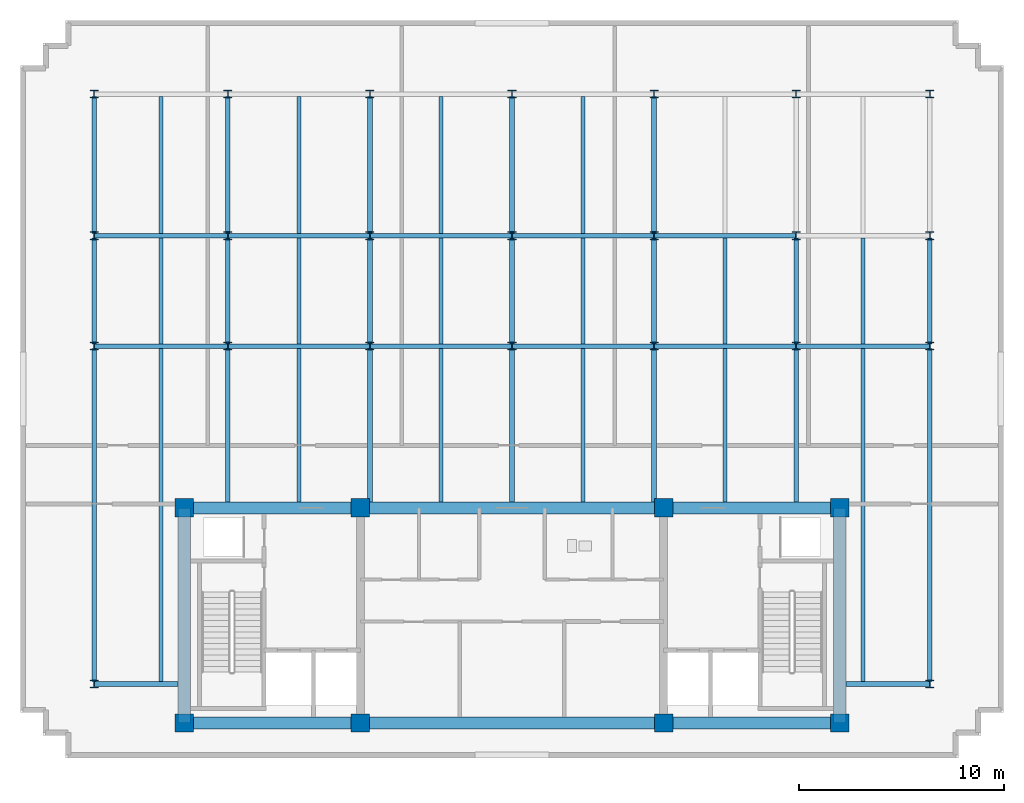
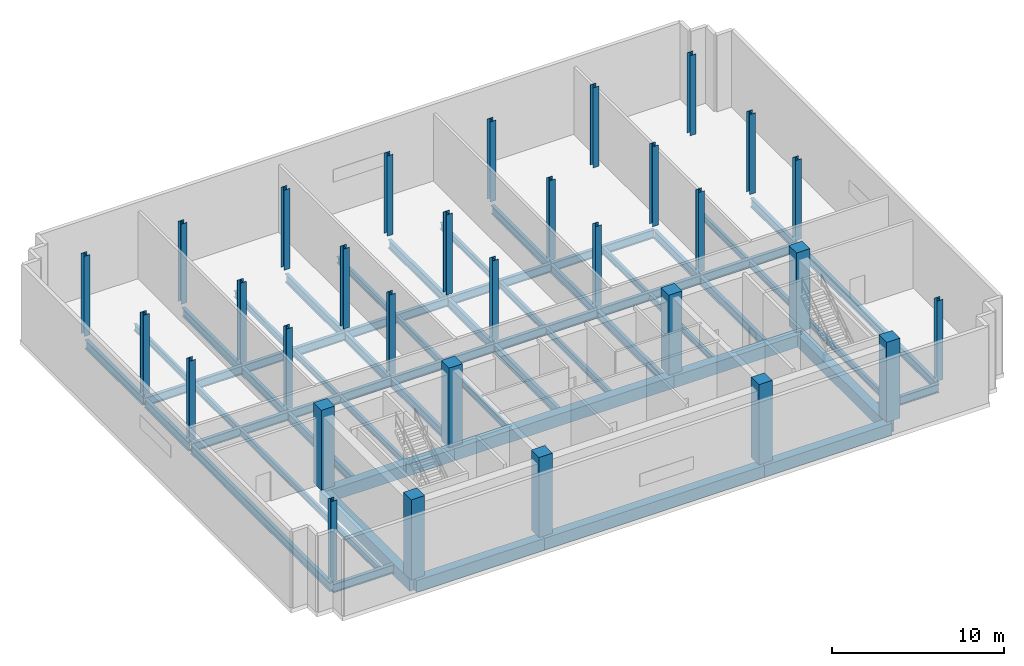
# One storey, part 1 of 7: 56 beams, 31 columns.
"""IFC4 building model written with IfcOpenShell, lengths in metres."""

from ifc_helpers import new_model, si_unit, direction, frame, origin, origin_2d, place, context, subcontext, project, spatial, rectangle, i_section, extrude, material, material_profile, profile_set, type_object, element, save


model = new_model("IFC4")

# Units and contexts
model_context = context("Model", 3, precision=1e-05, world=origin(), true_north=direction((0.0, 1.0)))
body_context = subcontext(model_context, "Body", "Model", "MODEL_VIEW")
ifc_project = project(units=[si_unit("LENGTHUNIT", "METRE"), si_unit("AREAUNIT", "SQUARE_METRE"), si_unit("VOLUMEUNIT", "CUBIC_METRE"), si_unit("PLANEANGLEUNIT", "RADIAN"), si_unit("MASSUNIT", "GRAM", prefix="KILO")], contexts=[model_context])

# Site, building, storey
site_placement = place(None, origin())
site = spatial("IfcSite", under=ifc_project, at=site_placement, CompositionType="ELEMENT")
building_placement = place(site_placement, origin())
building = spatial("IfcBuilding", under=site, at=building_placement, Name="Solmavex Isthmus Hotel", CompositionType="ELEMENT")
storey_placement = place(building_placement, frame((0.0, 0.0, 302.699951171875)))
storey = spatial("IfcBuildingStorey", under=building, at=storey_placement, Name="L81", CompositionType="ELEMENT", Elevation=302.699951171875)

# Columns
ifc_material_1 = material(Name="Concrete C50/60", Category="concrete")
ifc_material_profile_1 = material_profile(ifc_material_1, rectangle(XDim=0.89990234375, YDim=0.89990234375, at=origin_2d()), Name="RC900X900")
ifc_profile_set_1 = profile_set([ifc_material_profile_1], Name="Concrete C50/60")
column_type_1 = type_object("IfcColumnType", Name="COL-CC-900", PredefinedType="COLUMN", material=ifc_profile_set_1)
for number, where, z_axis, x_axis, name in (
    (1, (-16.0, -13.0, 0.0), (0.0, 0.0, 1.0), (1.0, 0.0, 0.0), "Core Pilaster CC-SW L81"),
    (2, (-7.39990234375, -13.0, 0.0), (0.0, 0.0, 1.0), (1.0, 0.0, 0.0), "Core Pilaster CC-S1 L81"),
    (3, (7.39990234375, -13.0, 0.0), (0.0, 0.0, 1.0), (1.0, 0.0, 0.0), "Core Pilaster CC-S2 L81"),
    (4, (16.0, -13.0, 0.0), (0.0, 0.0, 1.0), (1.0, 0.0, 0.0), "Core Pilaster CC-SE L81"),
    (5, (-16.0, -2.5, 0.0), (0.0, 0.0, 1.0), (1.0, 0.0, 0.0), "Core Pilaster CC-NW L81"),
    (6, (-7.39990234375, -2.5, 0.0), (0.0, 0.0, 1.0), (1.0, 0.0, 0.0), "Core Pilaster CC-N1 L81"),
    (7, (7.39990234375, -2.5, 0.0), (0.0, 0.0, 1.0), (1.0, 0.0, 0.0), "Core Pilaster CC-N2 L81"),
    (8, (16.0, -2.5, 0.0), (0.0, 0.0, 1.0), (1.0, 0.0, 0.0), "Core Pilaster CC-NE L81"),
):
    element("IfcColumn", number, at=place(storey_placement, frame(where, z_axis=z_axis, x_axis=x_axis)), inside=storey, type_object=column_type_1, Name=name, PredefinedType="COLUMN", context=body_context, shape_type="SweptSolid", body=[
        extrude(rectangle(XDim=0.89990234375, YDim=0.89990234375, at=origin_2d()), origin(), (0.0, 0.0, 1.0), 5.699951171875),
    ])
ifc_material_2 = material(Name="Steel ASTM A913 Grade 65", Category="steel")
ifc_material_profile_2 = material_profile(ifc_material_2, i_section(OverallWidth=0.393798828125, OverallDepth=0.37548828125, WebThickness=0.017333984375, FlangeThickness=0.027587890625, FilletRadius=0.030517578125, at=origin_2d()), Name="W14X145")
ifc_profile_set_2 = profile_set([ifc_material_profile_2], Name="Steel ASTM A913 Grade 65")
column_type_2 = type_object("IfcColumnType", Name="COL-SC-W14X145", PredefinedType="COLUMN", material=ifc_profile_set_2)
for number, where, z_axis, x_axis, name in (
    (9, (-20.39990234375, -11.10009765625, 0.0), (0.0, 0.0, 1.0), (1.0, 0.0, 0.0), "Tower Column B5-U1V1 L81"),
    (10, (-20.39990234375, 5.39990234375, 0.0), (0.0, 0.0, 1.0), (1.0, 0.0, 0.0), "Tower Column B5-U1V2 L81"),
    (11, (-20.39990234375, 10.7880859375, 0.0), (0.0, 0.0, 1.0), (1.0, 0.0, 0.0), "Tower Column B5-U1V3 L81"),
    (12, (-20.39990234375, 17.699951171875, 0.0), (0.0, 0.0, 1.0), (1.0, 0.0, 0.0), "Tower Column B5-U1V4 L81"),
    (13, (-13.8720703125, 5.39990234375, 0.0), (0.0, 0.0, 1.0), (1.0, 0.0, 0.0), "Tower Column B5-U2V2 L81"),
    (14, (-13.8720703125, 10.7880859375, 0.0), (0.0, 0.0, 1.0), (1.0, 0.0, 0.0), "Tower Column B5-U2V3 L81"),
    (15, (-13.8720703125, 17.699951171875, 0.0), (0.0, 0.0, 1.0), (1.0, 0.0, 0.0), "Tower Column B5-U2V4 L81"),
    (16, (-6.93603515625, 5.39990234375, 0.0), (0.0, 0.0, 1.0), (1.0, 0.0, 0.0), "Tower Column B5-U3V2 L81"),
    (17, (-6.93603515625, 10.7880859375, 0.0), (0.0, 0.0, 1.0), (1.0, 0.0, 0.0), "Tower Column B5-U3V3 L81"),
    (18, (-6.93603515625, 17.699951171875, 0.0), (0.0, 0.0, 1.0), (1.0, 0.0, 0.0), "Tower Column B5-U3V4 L81"),
    (19, (0.0, 5.39990234375, 0.0), (0.0, 0.0, 1.0), (1.0, 0.0, 0.0), "Tower Column B5-U4V2 L81"),
    (20, (0.0, 10.7880859375, 0.0), (0.0, 0.0, 1.0), (1.0, 0.0, 0.0), "Tower Column B5-U4V3 L81"),
    (21, (0.0, 17.699951171875, 0.0), (0.0, 0.0, 1.0), (1.0, 0.0, 0.0), "Tower Column B5-U4V4 L81"),
    (22, (6.93603515625, 5.39990234375, 0.0), (0.0, 0.0, 1.0), (1.0, 0.0, 0.0), "Tower Column B5-U5V2 L81"),
    (23, (6.93603515625, 10.7880859375, 0.0), (0.0, 0.0, 1.0), (1.0, 0.0, 0.0), "Tower Column B5-U5V3 L81"),
    (24, (6.93603515625, 17.699951171875, 0.0), (0.0, 0.0, 1.0), (1.0, 0.0, 0.0), "Tower Column B5-U5V4 L81"),
    (25, (13.8720703125, 5.39990234375, 0.0), (0.0, 0.0, 1.0), (1.0, 0.0, 0.0), "Tower Column B5-U6V2 L81"),
    (26, (13.8720703125, 10.7880859375, 0.0), (0.0, 0.0, 1.0), (1.0, 0.0, 0.0), "Tower Column B5-U6V3 L81"),
    (27, (13.8720703125, 17.699951171875, 0.0), (0.0, 0.0, 1.0), (1.0, 0.0, 0.0), "Tower Column B5-U6V4 L81"),
    (28, (20.39990234375, -11.10009765625, 0.0), (0.0, 0.0, 1.0), (1.0, 0.0, 0.0), "Tower Column B5-U7V1 L81"),
    (29, (20.39990234375, 5.39990234375, 0.0), (0.0, 0.0, 1.0), (1.0, 0.0, 0.0), "Tower Column B5-U7V2 L81"),
    (30, (20.39990234375, 10.7880859375, 0.0), (0.0, 0.0, 1.0), (1.0, 0.0, 0.0), "Tower Column B5-U7V3 L81"),
    (31, (20.39990234375, 17.699951171875, 0.0), (0.0, 0.0, 1.0), (1.0, 0.0, 0.0), "Tower Column B5-U7V4 L81"),
):
    element("IfcColumn", number, at=place(storey_placement, frame(where, z_axis=z_axis, x_axis=x_axis)), inside=storey, type_object=column_type_2, Name=name, PredefinedType="COLUMN", context=body_context, shape_type="SweptSolid", body=[
        extrude(i_section(OverallWidth=0.393798828125, OverallDepth=0.37548828125, WebThickness=0.017333984375, FlangeThickness=0.027587890625, FilletRadius=0.030517578125, at=origin_2d()), origin(), (0.0, 0.0, 1.0), 5.699951171875),
    ])

# Beams
ifc_material_3 = material(Name="Steel ASTM A992 Grade 50", Category="steel")
ifc_material_profile_3 = material_profile(ifc_material_3, i_section(OverallWidth=0.1904296875, OverallDepth=0.456787109375, WebThickness=0.009033203125, FlangeThickness=0.014404296875, FilletRadius=0.0126953125, at=origin_2d()), Name="W18X50")
ifc_profile_set_3 = profile_set([ifc_material_profile_3], Name="Steel ASTM A992 Grade 50")
beam_type_1 = type_object("IfcBeamType", Name="BM-BJ-W18X50", PredefinedType="JOIST", material=ifc_profile_set_3)
beam_1_placement = place(storey_placement, frame((-17.135986328125, -10.98486328125, -0.5283203125), z_axis=(0.0, 1.0, 0.0), x_axis=(-1.0, 0.0, 0.0)))
element("IfcBeam", 32, at=beam_1_placement, inside=storey, type_object=beam_type_1, Name="Secondary Floor Joist L81-J01", PredefinedType="JOIST", context=body_context, shape_type="SweptSolid", body=[
    extrude(i_section(OverallWidth=0.1904296875, OverallDepth=0.456787109375, WebThickness=0.009033203125, FlangeThickness=0.014404296875, FilletRadius=0.0126953125, at=origin_2d()), origin(), (0.0, 0.0, 1.0), 16.27099609375),
])
beam_2_placement = place(storey_placement, frame((-17.135986328125, 5.513916015625, -0.5283203125), z_axis=(0.0, 1.0, 0.0), x_axis=(-1.0, 0.0, 0.0)))
element("IfcBeam", 33, at=beam_2_placement, inside=storey, type_object=beam_type_1, Name="Secondary Floor Joist L81-J02", PredefinedType="JOIST", context=body_context, shape_type="SweptSolid", body=[
    extrude(i_section(OverallWidth=0.1904296875, OverallDepth=0.456787109375, WebThickness=0.009033203125, FlangeThickness=0.014404296875, FilletRadius=0.0126953125, at=origin_2d()), origin(), (0.0, 0.0, 1.0), 5.16015625),
])
beam_3_placement = place(storey_placement, frame((-17.135986328125, 10.90185546875, -0.5283203125), z_axis=(0.0, 1.0, 0.0), x_axis=(-1.0, 0.0, 0.0)))
element("IfcBeam", 34, at=beam_3_placement, inside=storey, type_object=beam_type_1, Name="Secondary Floor Joist L81-J03", PredefinedType="JOIST", context=body_context, shape_type="SweptSolid", body=[
    extrude(i_section(OverallWidth=0.1904296875, OverallDepth=0.456787109375, WebThickness=0.009033203125, FlangeThickness=0.014404296875, FilletRadius=0.0126953125, at=origin_2d()), origin(), (0.0, 0.0, 1.0), 6.682861328125),
])
beam_4_placement = place(storey_placement, frame((-10.404052734375, -2.199951171875, -0.5283203125), z_axis=(0.0, 1.0, 0.0), x_axis=(-1.0, 0.0, 0.0)))
element("IfcBeam", 35, at=beam_4_placement, inside=storey, type_object=beam_type_1, Name="Secondary Floor Joist L81-J04", PredefinedType="JOIST", context=body_context, shape_type="SweptSolid", body=[
    extrude(i_section(OverallWidth=0.1904296875, OverallDepth=0.456787109375, WebThickness=0.009033203125, FlangeThickness=0.014404296875, FilletRadius=0.0126953125, at=origin_2d()), origin(), (0.0, 0.0, 1.0), 7.486083984375),
])
beam_5_placement = place(storey_placement, frame((-10.404052734375, 5.513916015625, -0.5283203125), z_axis=(0.0, 1.0, 0.0), x_axis=(-1.0, 0.0, 0.0)))
element("IfcBeam", 36, at=beam_5_placement, inside=storey, type_object=beam_type_1, Name="Secondary Floor Joist L81-J05", PredefinedType="JOIST", context=body_context, shape_type="SweptSolid", body=[
    extrude(i_section(OverallWidth=0.1904296875, OverallDepth=0.456787109375, WebThickness=0.009033203125, FlangeThickness=0.014404296875, FilletRadius=0.0126953125, at=origin_2d()), origin(), (0.0, 0.0, 1.0), 5.16015625),
])
beam_6_placement = place(storey_placement, frame((-10.404052734375, 10.90185546875, -0.5283203125), z_axis=(0.0, 1.0, 0.0), x_axis=(-1.0, 0.0, 0.0)))
element("IfcBeam", 37, at=beam_6_placement, inside=storey, type_object=beam_type_1, Name="Secondary Floor Joist L81-J06", PredefinedType="JOIST", context=body_context, shape_type="SweptSolid", body=[
    extrude(i_section(OverallWidth=0.1904296875, OverallDepth=0.456787109375, WebThickness=0.009033203125, FlangeThickness=0.014404296875, FilletRadius=0.0126953125, at=origin_2d()), origin(), (0.0, 0.0, 1.0), 6.682861328125),
])
beam_7_placement = place(storey_placement, frame((-3.468017578125, -2.199951171875, -0.5283203125), z_axis=(0.0, 1.0, 0.0), x_axis=(-1.0, 0.0, 0.0)))
element("IfcBeam", 38, at=beam_7_placement, inside=storey, type_object=beam_type_1, Name="Secondary Floor Joist L81-J07", PredefinedType="JOIST", context=body_context, shape_type="SweptSolid", body=[
    extrude(i_section(OverallWidth=0.1904296875, OverallDepth=0.456787109375, WebThickness=0.009033203125, FlangeThickness=0.014404296875, FilletRadius=0.0126953125, at=origin_2d()), origin(), (0.0, 0.0, 1.0), 7.486083984375),
])
beam_8_placement = place(storey_placement, frame((-3.468017578125, 5.513916015625, -0.5283203125), z_axis=(0.0, 1.0, 0.0), x_axis=(-1.0, 0.0, 0.0)))
element("IfcBeam", 39, at=beam_8_placement, inside=storey, type_object=beam_type_1, Name="Secondary Floor Joist L81-J08", PredefinedType="JOIST", context=body_context, shape_type="SweptSolid", body=[
    extrude(i_section(OverallWidth=0.1904296875, OverallDepth=0.456787109375, WebThickness=0.009033203125, FlangeThickness=0.014404296875, FilletRadius=0.0126953125, at=origin_2d()), origin(), (0.0, 0.0, 1.0), 5.16015625),
])
beam_9_placement = place(storey_placement, frame((-3.468017578125, 10.90185546875, -0.5283203125), z_axis=(0.0, 1.0, 0.0), x_axis=(-1.0, 0.0, 0.0)))
element("IfcBeam", 40, at=beam_9_placement, inside=storey, type_object=beam_type_1, Name="Secondary Floor Joist L81-J09", PredefinedType="JOIST", context=body_context, shape_type="SweptSolid", body=[
    extrude(i_section(OverallWidth=0.1904296875, OverallDepth=0.456787109375, WebThickness=0.009033203125, FlangeThickness=0.014404296875, FilletRadius=0.0126953125, at=origin_2d()), origin(), (0.0, 0.0, 1.0), 6.682861328125),
])
beam_10_placement = place(storey_placement, frame((3.468017578125, -2.199951171875, -0.5283203125), z_axis=(0.0, 1.0, 0.0), x_axis=(-1.0, 0.0, 0.0)))
element("IfcBeam", 41, at=beam_10_placement, inside=storey, type_object=beam_type_1, Name="Secondary Floor Joist L81-J10", PredefinedType="JOIST", context=body_context, shape_type="SweptSolid", body=[
    extrude(i_section(OverallWidth=0.1904296875, OverallDepth=0.456787109375, WebThickness=0.009033203125, FlangeThickness=0.014404296875, FilletRadius=0.0126953125, at=origin_2d()), origin(), (0.0, 0.0, 1.0), 7.486083984375),
])
beam_11_placement = place(storey_placement, frame((3.468017578125, 5.513916015625, -0.5283203125), z_axis=(0.0, 1.0, 0.0), x_axis=(-1.0, 0.0, 0.0)))
element("IfcBeam", 42, at=beam_11_placement, inside=storey, type_object=beam_type_1, Name="Secondary Floor Joist L81-J11", PredefinedType="JOIST", context=body_context, shape_type="SweptSolid", body=[
    extrude(i_section(OverallWidth=0.1904296875, OverallDepth=0.456787109375, WebThickness=0.009033203125, FlangeThickness=0.014404296875, FilletRadius=0.0126953125, at=origin_2d()), origin(), (0.0, 0.0, 1.0), 5.16015625),
])
beam_12_placement = place(storey_placement, frame((3.468017578125, 10.90185546875, -0.5283203125), z_axis=(0.0, 1.0, 0.0), x_axis=(-1.0, 0.0, 0.0)))
element("IfcBeam", 43, at=beam_12_placement, inside=storey, type_object=beam_type_1, Name="Secondary Floor Joist L81-J12", PredefinedType="JOIST", context=body_context, shape_type="SweptSolid", body=[
    extrude(i_section(OverallWidth=0.1904296875, OverallDepth=0.456787109375, WebThickness=0.009033203125, FlangeThickness=0.014404296875, FilletRadius=0.0126953125, at=origin_2d()), origin(), (0.0, 0.0, 1.0), 6.682861328125),
])
beam_13_placement = place(storey_placement, frame((10.404052734375, -2.199951171875, -0.5283203125), z_axis=(0.0, 1.0, 0.0), x_axis=(-1.0, 0.0, 0.0)))
element("IfcBeam", 44, at=beam_13_placement, inside=storey, type_object=beam_type_1, Name="Secondary Floor Joist L81-J13", PredefinedType="JOIST", context=body_context, shape_type="SweptSolid", body=[
    extrude(i_section(OverallWidth=0.1904296875, OverallDepth=0.456787109375, WebThickness=0.009033203125, FlangeThickness=0.014404296875, FilletRadius=0.0126953125, at=origin_2d()), origin(), (0.0, 0.0, 1.0), 7.486083984375),
])
beam_14_placement = place(storey_placement, frame((10.404052734375, 5.513916015625, -0.5283203125), z_axis=(0.0, 1.0, 0.0), x_axis=(-1.0, 0.0, 0.0)))
element("IfcBeam", 45, at=beam_14_placement, inside=storey, type_object=beam_type_1, Name="Secondary Floor Joist L81-J14", PredefinedType="JOIST", context=body_context, shape_type="SweptSolid", body=[
    extrude(i_section(OverallWidth=0.1904296875, OverallDepth=0.456787109375, WebThickness=0.009033203125, FlangeThickness=0.014404296875, FilletRadius=0.0126953125, at=origin_2d()), origin(), (0.0, 0.0, 1.0), 5.16015625),
])
beam_15_placement = place(storey_placement, frame((17.135986328125, -10.98486328125, -0.5283203125), z_axis=(0.0, 1.0, 0.0), x_axis=(-1.0, 0.0, 0.0)))
element("IfcBeam", 46, at=beam_15_placement, inside=storey, type_object=beam_type_1, Name="Secondary Floor Joist L81-J16", PredefinedType="JOIST", context=body_context, shape_type="SweptSolid", body=[
    extrude(i_section(OverallWidth=0.1904296875, OverallDepth=0.456787109375, WebThickness=0.009033203125, FlangeThickness=0.014404296875, FilletRadius=0.0126953125, at=origin_2d()), origin(), (0.0, 0.0, 1.0), 16.27099609375),
])
beam_16_placement = place(storey_placement, frame((17.135986328125, 5.513916015625, -0.5283203125), z_axis=(0.0, 1.0, 0.0), x_axis=(-1.0, 0.0, 0.0)))
element("IfcBeam", 47, at=beam_16_placement, inside=storey, type_object=beam_type_1, Name="Secondary Floor Joist L81-J17", PredefinedType="JOIST", context=body_context, shape_type="SweptSolid", body=[
    extrude(i_section(OverallWidth=0.1904296875, OverallDepth=0.456787109375, WebThickness=0.009033203125, FlangeThickness=0.014404296875, FilletRadius=0.0126953125, at=origin_2d()), origin(), (0.0, 0.0, 1.0), 5.16015625),
])
ifc_material_profile_4 = material_profile(ifc_material_3, i_section(OverallWidth=0.227783203125, OverallDepth=0.602783203125, WebThickness=0.010498046875, FlangeThickness=0.014892578125, FilletRadius=0.01513671875, at=origin_2d()), Name="W24X68")
ifc_profile_set_4 = profile_set([ifc_material_profile_4], Name="Steel ASTM A992 Grade 50")
beam_type_2 = type_object("IfcBeamType", Name="BM-BM-W24X68", PredefinedType="BEAM", material=ifc_profile_set_4)
beam_17_placement = place(storey_placement, frame((-20.39990234375, 5.39990234375, -0.601318359375), z_axis=(1.0, 0.0, 0.0), x_axis=(0.0, 1.0, 0.0)))
element("IfcBeam", 48, at=beam_17_placement, inside=storey, type_object=beam_type_2, Name="Floor Girder L81-UG03", PredefinedType="BEAM", context=body_context, shape_type="SweptSolid", body=[
    extrude(i_section(OverallWidth=0.227783203125, OverallDepth=0.602783203125, WebThickness=0.010498046875, FlangeThickness=0.014892578125, FilletRadius=0.01513671875, at=origin_2d()), origin(), (0.0, 0.0, 1.0), 6.52783203125),
])
for number, where, z_axis, x_axis, name in (
    (49, (-13.8720703125, 5.39990234375, -0.601318359375), (1.0, 0.0, 0.0), (0.0, 1.0, 0.0), "Floor Girder L81-UG04"),
    (50, (-6.93603515625, 5.39990234375, -0.601318359375), (1.0, 0.0, 0.0), (0.0, 1.0, 0.0), "Floor Girder L81-UG05"),
    (51, (0.0, 5.39990234375, -0.601318359375), (1.0, 0.0, 0.0), (0.0, 1.0, 0.0), "Floor Girder L81-UG06"),
    (52, (6.93603515625, 5.39990234375, -0.601318359375), (1.0, 0.0, 0.0), (0.0, 1.0, 0.0), "Floor Girder L81-UG07"),
):
    element("IfcBeam", number, at=place(storey_placement, frame(where, z_axis=z_axis, x_axis=x_axis)), inside=storey, type_object=beam_type_2, Name=name, PredefinedType="BEAM", context=body_context, shape_type="SweptSolid", body=[
        extrude(i_section(OverallWidth=0.227783203125, OverallDepth=0.602783203125, WebThickness=0.010498046875, FlangeThickness=0.014892578125, FilletRadius=0.01513671875, at=origin_2d()), origin(), (0.0, 0.0, 1.0), 6.93603515625),
    ])
for number, where, z_axis, x_axis, name in (
    (53, (13.8720703125, 5.39990234375, -0.601318359375), (1.0, 0.0, 0.0), (0.0, 1.0, 0.0), "Floor Girder L81-UG08"),
    (54, (-20.39990234375, 10.7880859375, -0.601318359375), (1.0, 0.0, 0.0), (0.0, 1.0, 0.0), "Floor Girder L81-UG09"),
):
    element("IfcBeam", number, at=place(storey_placement, frame(where, z_axis=z_axis, x_axis=x_axis)), inside=storey, type_object=beam_type_2, Name=name, PredefinedType="BEAM", context=body_context, shape_type="SweptSolid", body=[
        extrude(i_section(OverallWidth=0.227783203125, OverallDepth=0.602783203125, WebThickness=0.010498046875, FlangeThickness=0.014892578125, FilletRadius=0.01513671875, at=origin_2d()), origin(), (0.0, 0.0, 1.0), 6.52783203125),
    ])
for number, where, z_axis, x_axis, name in (
    (55, (-13.8720703125, 10.7880859375, -0.601318359375), (1.0, 0.0, 0.0), (0.0, 1.0, 0.0), "Floor Girder L81-UG10"),
    (56, (-6.93603515625, 10.7880859375, -0.601318359375), (1.0, 0.0, 0.0), (0.0, 1.0, 0.0), "Floor Girder L81-UG11"),
    (57, (0.0, 10.7880859375, -0.601318359375), (1.0, 0.0, 0.0), (0.0, 1.0, 0.0), "Floor Girder L81-UG12"),
    (58, (6.93603515625, 10.7880859375, -0.601318359375), (1.0, 0.0, 0.0), (0.0, 1.0, 0.0), "Floor Girder L81-UG13"),
):
    element("IfcBeam", number, at=place(storey_placement, frame(where, z_axis=z_axis, x_axis=x_axis)), inside=storey, type_object=beam_type_2, Name=name, PredefinedType="BEAM", context=body_context, shape_type="SweptSolid", body=[
        extrude(i_section(OverallWidth=0.227783203125, OverallDepth=0.602783203125, WebThickness=0.010498046875, FlangeThickness=0.014892578125, FilletRadius=0.01513671875, at=origin_2d()), origin(), (0.0, 0.0, 1.0), 6.93603515625),
    ])
beam_18_placement = place(storey_placement, frame((-13.8720703125, -2.199951171875, -0.601318359375), z_axis=(0.0, 1.0, 0.0), x_axis=(-1.0, 0.0, 0.0)))
element("IfcBeam", 59, at=beam_18_placement, inside=storey, type_object=beam_type_2, Name="Floor Beam L81-VG24", PredefinedType="BEAM", context=body_context, shape_type="SweptSolid", body=[
    extrude(i_section(OverallWidth=0.227783203125, OverallDepth=0.602783203125, WebThickness=0.010498046875, FlangeThickness=0.014892578125, FilletRadius=0.01513671875, at=origin_2d()), origin(), (0.0, 0.0, 1.0), 7.486083984375),
])
beam_19_placement = place(storey_placement, frame((-13.8720703125, 5.513916015625, -0.601318359375), z_axis=(0.0, 1.0, 0.0), x_axis=(-1.0, 0.0, 0.0)))
element("IfcBeam", 60, at=beam_19_placement, inside=storey, type_object=beam_type_2, Name="Floor Beam L81-VG25", PredefinedType="BEAM", context=body_context, shape_type="SweptSolid", body=[
    extrude(i_section(OverallWidth=0.227783203125, OverallDepth=0.602783203125, WebThickness=0.010498046875, FlangeThickness=0.014892578125, FilletRadius=0.01513671875, at=origin_2d()), origin(), (0.0, 0.0, 1.0), 5.16015625),
])
beam_20_placement = place(storey_placement, frame((-13.8720703125, 10.90185546875, -0.601318359375), z_axis=(0.0, 1.0, 0.0), x_axis=(-1.0, 0.0, 0.0)))
element("IfcBeam", 61, at=beam_20_placement, inside=storey, type_object=beam_type_2, Name="Floor Beam L81-VG26", PredefinedType="BEAM", context=body_context, shape_type="SweptSolid", body=[
    extrude(i_section(OverallWidth=0.227783203125, OverallDepth=0.602783203125, WebThickness=0.010498046875, FlangeThickness=0.014892578125, FilletRadius=0.01513671875, at=origin_2d()), origin(), (0.0, 0.0, 1.0), 6.682861328125),
])
beam_21_placement = place(storey_placement, frame((-6.93603515625, -2.199951171875, -0.601318359375), z_axis=(0.0, 1.0, 0.0), x_axis=(-1.0, 0.0, 0.0)))
element("IfcBeam", 62, at=beam_21_placement, inside=storey, type_object=beam_type_2, Name="Floor Beam L81-VG27", PredefinedType="BEAM", context=body_context, shape_type="SweptSolid", body=[
    extrude(i_section(OverallWidth=0.227783203125, OverallDepth=0.602783203125, WebThickness=0.010498046875, FlangeThickness=0.014892578125, FilletRadius=0.01513671875, at=origin_2d()), origin(), (0.0, 0.0, 1.0), 7.486083984375),
])
beam_22_placement = place(storey_placement, frame((-6.93603515625, 5.513916015625, -0.601318359375), z_axis=(0.0, 1.0, 0.0), x_axis=(-1.0, 0.0, 0.0)))
element("IfcBeam", 63, at=beam_22_placement, inside=storey, type_object=beam_type_2, Name="Floor Beam L81-VG28", PredefinedType="BEAM", context=body_context, shape_type="SweptSolid", body=[
    extrude(i_section(OverallWidth=0.227783203125, OverallDepth=0.602783203125, WebThickness=0.010498046875, FlangeThickness=0.014892578125, FilletRadius=0.01513671875, at=origin_2d()), origin(), (0.0, 0.0, 1.0), 5.16015625),
])
beam_23_placement = place(storey_placement, frame((-6.93603515625, 10.90185546875, -0.601318359375), z_axis=(0.0, 1.0, 0.0), x_axis=(-1.0, 0.0, 0.0)))
element("IfcBeam", 64, at=beam_23_placement, inside=storey, type_object=beam_type_2, Name="Floor Beam L81-VG29", PredefinedType="BEAM", context=body_context, shape_type="SweptSolid", body=[
    extrude(i_section(OverallWidth=0.227783203125, OverallDepth=0.602783203125, WebThickness=0.010498046875, FlangeThickness=0.014892578125, FilletRadius=0.01513671875, at=origin_2d()), origin(), (0.0, 0.0, 1.0), 6.682861328125),
])
beam_24_placement = place(storey_placement, frame((0.0, -2.199951171875, -0.601318359375), z_axis=(0.0, 1.0, 0.0), x_axis=(-1.0, 0.0, 0.0)))
element("IfcBeam", 65, at=beam_24_placement, inside=storey, type_object=beam_type_2, Name="Floor Beam L81-VG30", PredefinedType="BEAM", context=body_context, shape_type="SweptSolid", body=[
    extrude(i_section(OverallWidth=0.227783203125, OverallDepth=0.602783203125, WebThickness=0.010498046875, FlangeThickness=0.014892578125, FilletRadius=0.01513671875, at=origin_2d()), origin(), (0.0, 0.0, 1.0), 7.486083984375),
])
beam_25_placement = place(storey_placement, frame((0.0, 5.513916015625, -0.601318359375), z_axis=(0.0, 1.0, 0.0), x_axis=(-1.0, 0.0, 0.0)))
element("IfcBeam", 66, at=beam_25_placement, inside=storey, type_object=beam_type_2, Name="Floor Beam L81-VG31", PredefinedType="BEAM", context=body_context, shape_type="SweptSolid", body=[
    extrude(i_section(OverallWidth=0.227783203125, OverallDepth=0.602783203125, WebThickness=0.010498046875, FlangeThickness=0.014892578125, FilletRadius=0.01513671875, at=origin_2d()), origin(), (0.0, 0.0, 1.0), 5.16015625),
])
beam_26_placement = place(storey_placement, frame((0.0, 10.90185546875, -0.601318359375), z_axis=(0.0, 1.0, 0.0), x_axis=(-1.0, 0.0, 0.0)))
element("IfcBeam", 67, at=beam_26_placement, inside=storey, type_object=beam_type_2, Name="Floor Beam L81-VG32", PredefinedType="BEAM", context=body_context, shape_type="SweptSolid", body=[
    extrude(i_section(OverallWidth=0.227783203125, OverallDepth=0.602783203125, WebThickness=0.010498046875, FlangeThickness=0.014892578125, FilletRadius=0.01513671875, at=origin_2d()), origin(), (0.0, 0.0, 1.0), 6.682861328125),
])
beam_27_placement = place(storey_placement, frame((6.93603515625, -2.199951171875, -0.601318359375), z_axis=(0.0, 1.0, 0.0), x_axis=(-1.0, 0.0, 0.0)))
element("IfcBeam", 68, at=beam_27_placement, inside=storey, type_object=beam_type_2, Name="Floor Beam L81-VG33", PredefinedType="BEAM", context=body_context, shape_type="SweptSolid", body=[
    extrude(i_section(OverallWidth=0.227783203125, OverallDepth=0.602783203125, WebThickness=0.010498046875, FlangeThickness=0.014892578125, FilletRadius=0.01513671875, at=origin_2d()), origin(), (0.0, 0.0, 1.0), 7.486083984375),
])
beam_28_placement = place(storey_placement, frame((6.93603515625, 5.513916015625, -0.601318359375), z_axis=(0.0, 1.0, 0.0), x_axis=(-1.0, 0.0, 0.0)))
element("IfcBeam", 69, at=beam_28_placement, inside=storey, type_object=beam_type_2, Name="Floor Beam L81-VG34", PredefinedType="BEAM", context=body_context, shape_type="SweptSolid", body=[
    extrude(i_section(OverallWidth=0.227783203125, OverallDepth=0.602783203125, WebThickness=0.010498046875, FlangeThickness=0.014892578125, FilletRadius=0.01513671875, at=origin_2d()), origin(), (0.0, 0.0, 1.0), 5.16015625),
])
beam_29_placement = place(storey_placement, frame((6.93603515625, 10.90185546875, -0.601318359375), z_axis=(0.0, 1.0, 0.0), x_axis=(-1.0, 0.0, 0.0)))
element("IfcBeam", 70, at=beam_29_placement, inside=storey, type_object=beam_type_2, Name="Floor Beam L81-VG35", PredefinedType="BEAM", context=body_context, shape_type="SweptSolid", body=[
    extrude(i_section(OverallWidth=0.227783203125, OverallDepth=0.602783203125, WebThickness=0.010498046875, FlangeThickness=0.014892578125, FilletRadius=0.01513671875, at=origin_2d()), origin(), (0.0, 0.0, 1.0), 6.682861328125),
])
beam_30_placement = place(storey_placement, frame((13.8720703125, -2.199951171875, -0.601318359375), z_axis=(0.0, 1.0, 0.0), x_axis=(-1.0, 0.0, 0.0)))
element("IfcBeam", 71, at=beam_30_placement, inside=storey, type_object=beam_type_2, Name="Floor Beam L81-VG36", PredefinedType="BEAM", context=body_context, shape_type="SweptSolid", body=[
    extrude(i_section(OverallWidth=0.227783203125, OverallDepth=0.602783203125, WebThickness=0.010498046875, FlangeThickness=0.014892578125, FilletRadius=0.01513671875, at=origin_2d()), origin(), (0.0, 0.0, 1.0), 7.486083984375),
])
beam_31_placement = place(storey_placement, frame((13.8720703125, 5.513916015625, -0.601318359375), z_axis=(0.0, 1.0, 0.0), x_axis=(-1.0, 0.0, 0.0)))
element("IfcBeam", 72, at=beam_31_placement, inside=storey, type_object=beam_type_2, Name="Floor Beam L81-VG37", PredefinedType="BEAM", context=body_context, shape_type="SweptSolid", body=[
    extrude(i_section(OverallWidth=0.227783203125, OverallDepth=0.602783203125, WebThickness=0.010498046875, FlangeThickness=0.014892578125, FilletRadius=0.01513671875, at=origin_2d()), origin(), (0.0, 0.0, 1.0), 5.16015625),
])
ifc_material_profile_5 = material_profile(ifc_material_1, rectangle(XDim=0.60009765625, YDim=0.85009765625, at=origin_2d()), Name="RC600X850")
ifc_profile_set_5 = profile_set([ifc_material_profile_5], Name="Concrete C50/60")
beam_type_3 = type_object("IfcBeamType", Name="BM-CB-600X850", PredefinedType="BEAM", material=ifc_profile_set_5)
beam_32_placement = place(storey_placement, frame((-16.0, -13.0, -0.724853515625), z_axis=(1.0, 0.0, 0.0), x_axis=(0.0, 1.0, 0.0)))
element("IfcBeam", 73, at=beam_32_placement, inside=storey, type_object=beam_type_3, Name="Core Coupling Beam L81-CB1", PredefinedType="BEAM", context=body_context, shape_type="SweptSolid", body=[
    extrude(rectangle(XDim=0.60009765625, YDim=0.85009765625, at=origin_2d()), origin(), (0.0, 0.0, 1.0), 8.60009765625),
])
beam_33_placement = place(storey_placement, frame((-7.39990234375, -13.0, -0.724853515625), z_axis=(1.0, 0.0, 0.0), x_axis=(0.0, 1.0, 0.0)))
element("IfcBeam", 74, at=beam_33_placement, inside=storey, type_object=beam_type_3, Name="Core Coupling Beam L81-CB2", PredefinedType="BEAM", context=body_context, shape_type="SweptSolid", body=[
    extrude(rectangle(XDim=0.60009765625, YDim=0.85009765625, at=origin_2d()), origin(), (0.0, 0.0, 1.0), 14.7998046875),
])
for number, where, z_axis, x_axis, name in (
    (75, (7.39990234375, -13.0, -0.724853515625), (1.0, 0.0, 0.0), (0.0, 1.0, 0.0), "Core Coupling Beam L81-CB3"),
    (76, (-16.0, -2.5, -0.724853515625), (1.0, 0.0, 0.0), (0.0, 1.0, 0.0), "Core Coupling Beam L81-CB4"),
):
    element("IfcBeam", number, at=place(storey_placement, frame(where, z_axis=z_axis, x_axis=x_axis)), inside=storey, type_object=beam_type_3, Name=name, PredefinedType="BEAM", context=body_context, shape_type="SweptSolid", body=[
        extrude(rectangle(XDim=0.60009765625, YDim=0.85009765625, at=origin_2d()), origin(), (0.0, 0.0, 1.0), 8.60009765625),
    ])
beam_34_placement = place(storey_placement, frame((-7.39990234375, -2.5, -0.724853515625), z_axis=(1.0, 0.0, 0.0), x_axis=(0.0, 1.0, 0.0)))
element("IfcBeam", 77, at=beam_34_placement, inside=storey, type_object=beam_type_3, Name="Core Coupling Beam L81-CB5", PredefinedType="BEAM", context=body_context, shape_type="SweptSolid", body=[
    extrude(rectangle(XDim=0.60009765625, YDim=0.85009765625, at=origin_2d()), origin(), (0.0, 0.0, 1.0), 14.7998046875),
])
beam_35_placement = place(storey_placement, frame((7.39990234375, -2.5, -0.724853515625), z_axis=(1.0, 0.0, 0.0), x_axis=(0.0, 1.0, 0.0)))
element("IfcBeam", 78, at=beam_35_placement, inside=storey, type_object=beam_type_3, Name="Core Coupling Beam L81-CB6", PredefinedType="BEAM", context=body_context, shape_type="SweptSolid", body=[
    extrude(rectangle(XDim=0.60009765625, YDim=0.85009765625, at=origin_2d()), origin(), (0.0, 0.0, 1.0), 8.60009765625),
])
for number, where, z_axis, x_axis, name in (
    (79, (-16.0, -13.0, -0.724853515625), (0.0, 1.0, 0.0), (-1.0, 0.0, 0.0), "Core Coupling Beam L81-CB7"),
    (80, (16.0, -13.0, -0.724853515625), (0.0, 1.0, 0.0), (-1.0, 0.0, 0.0), "Core Coupling Beam L81-CB8"),
):
    element("IfcBeam", number, at=place(storey_placement, frame(where, z_axis=z_axis, x_axis=x_axis)), inside=storey, type_object=beam_type_3, Name=name, PredefinedType="BEAM", context=body_context, shape_type="SweptSolid", body=[
        extrude(rectangle(XDim=0.60009765625, YDim=0.85009765625, at=origin_2d()), origin(), (0.0, 0.0, 1.0), 10.5),
    ])
ifc_material_profile_6 = material_profile(ifc_material_3, i_section(OverallWidth=0.230224609375, OverallDepth=0.617431640625, WebThickness=0.01318359375, FlangeThickness=0.022216796875, FilletRadius=0.01513671875, at=origin_2d()), Name="W24X94")
ifc_profile_set_6 = profile_set([ifc_material_profile_6], Name="Steel ASTM A992 Grade 50")
beam_type_4 = type_object("IfcBeamType", Name="BM-SP-W24X94", PredefinedType="SPANDREL", material=ifc_profile_set_6)
for number, where, z_axis, x_axis, name in (
    (81, (-20.39990234375, -11.10009765625, -0.608642578125), (1.0, 0.0, 0.0), (0.0, 1.0, 0.0), "Floor Girder L81-UG01"),
    (82, (16.300048828125, -11.10009765625, -0.608642578125), (1.0, 0.0, 0.0), (0.0, 1.0, 0.0), "Floor Girder L81-UG02"),
):
    element("IfcBeam", number, at=place(storey_placement, frame(where, z_axis=z_axis, x_axis=x_axis)), inside=storey, type_object=beam_type_4, Name=name, PredefinedType="SPANDREL", context=body_context, shape_type="SweptSolid", body=[
        extrude(i_section(OverallWidth=0.230224609375, OverallDepth=0.617431640625, WebThickness=0.01318359375, FlangeThickness=0.022216796875, FilletRadius=0.01513671875, at=origin_2d()), origin(), (0.0, 0.0, 1.0), 4.099853515625),
    ])
beam_36_placement = place(storey_placement, frame((-20.39990234375, -10.98486328125, -0.608642578125), z_axis=(0.0, 1.0, 0.0), x_axis=(-1.0, 0.0, 0.0)))
element("IfcBeam", 83, at=beam_36_placement, inside=storey, type_object=beam_type_4, Name="Floor Beam L81-VG21", PredefinedType="SPANDREL", context=body_context, shape_type="SweptSolid", body=[
    extrude(i_section(OverallWidth=0.230224609375, OverallDepth=0.617431640625, WebThickness=0.01318359375, FlangeThickness=0.022216796875, FilletRadius=0.01513671875, at=origin_2d()), origin(), (0.0, 0.0, 1.0), 16.27099609375),
])
beam_37_placement = place(storey_placement, frame((-20.39990234375, 5.513916015625, -0.608642578125), z_axis=(0.0, 1.0, 0.0), x_axis=(-1.0, 0.0, 0.0)))
element("IfcBeam", 84, at=beam_37_placement, inside=storey, type_object=beam_type_4, Name="Floor Beam L81-VG22", PredefinedType="SPANDREL", context=body_context, shape_type="SweptSolid", body=[
    extrude(i_section(OverallWidth=0.230224609375, OverallDepth=0.617431640625, WebThickness=0.01318359375, FlangeThickness=0.022216796875, FilletRadius=0.01513671875, at=origin_2d()), origin(), (0.0, 0.0, 1.0), 5.16015625),
])
beam_38_placement = place(storey_placement, frame((-20.39990234375, 10.90185546875, -0.608642578125), z_axis=(0.0, 1.0, 0.0), x_axis=(-1.0, 0.0, 0.0)))
element("IfcBeam", 85, at=beam_38_placement, inside=storey, type_object=beam_type_4, Name="Floor Beam L81-VG23", PredefinedType="SPANDREL", context=body_context, shape_type="SweptSolid", body=[
    extrude(i_section(OverallWidth=0.230224609375, OverallDepth=0.617431640625, WebThickness=0.01318359375, FlangeThickness=0.022216796875, FilletRadius=0.01513671875, at=origin_2d()), origin(), (0.0, 0.0, 1.0), 6.682861328125),
])
beam_39_placement = place(storey_placement, frame((20.39990234375, -10.98486328125, -0.608642578125), z_axis=(0.0, 1.0, 0.0), x_axis=(-1.0, 0.0, 0.0)))
element("IfcBeam", 86, at=beam_39_placement, inside=storey, type_object=beam_type_4, Name="Floor Beam L81-VG39", PredefinedType="SPANDREL", context=body_context, shape_type="SweptSolid", body=[
    extrude(i_section(OverallWidth=0.230224609375, OverallDepth=0.617431640625, WebThickness=0.01318359375, FlangeThickness=0.022216796875, FilletRadius=0.01513671875, at=origin_2d()), origin(), (0.0, 0.0, 1.0), 16.27099609375),
])
beam_40_placement = place(storey_placement, frame((20.39990234375, 5.513916015625, -0.608642578125), z_axis=(0.0, 1.0, 0.0), x_axis=(-1.0, 0.0, 0.0)))
element("IfcBeam", 87, at=beam_40_placement, inside=storey, type_object=beam_type_4, Name="Floor Beam L81-VG40", PredefinedType="SPANDREL", context=body_context, shape_type="SweptSolid", body=[
    extrude(i_section(OverallWidth=0.230224609375, OverallDepth=0.617431640625, WebThickness=0.01318359375, FlangeThickness=0.022216796875, FilletRadius=0.01513671875, at=origin_2d()), origin(), (0.0, 0.0, 1.0), 5.16015625),
])

save(model, "model.ifc")
